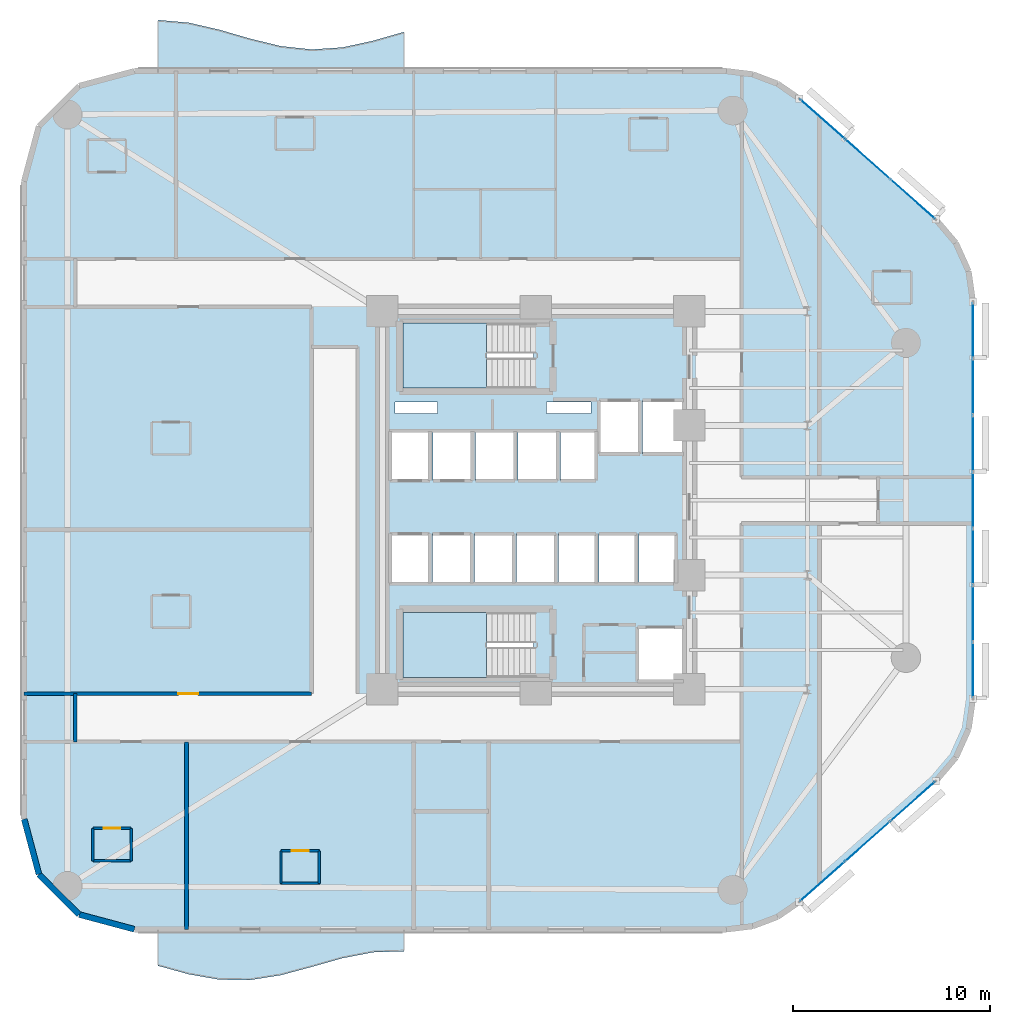
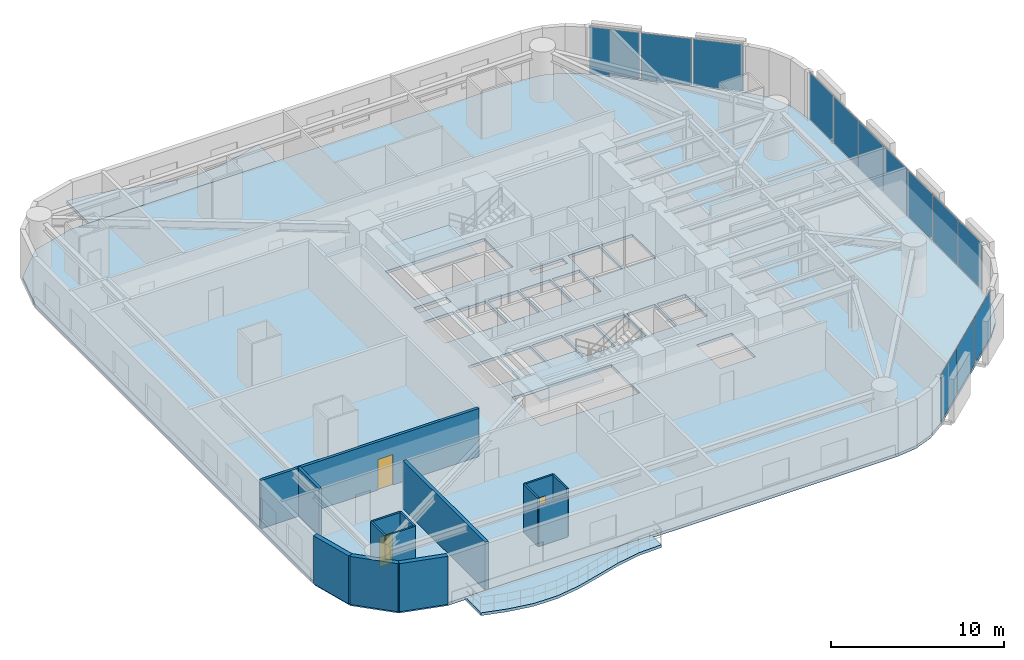
# One storey, part 9 of 17: 14 walls, 13 plates, 5 slabs, 3 doors, 3 openings, 5 elements without a shape of their own.
"""IFC4 building model written with IfcOpenShell, lengths in metres."""

from ifc_helpers import new_model, si_unit, direction, frame, frame_2d, origin, origin_2d, place, context, subcontext, project, spatial, polyline, rectangle, outline, extrude, material, layer, layer_set, type_object, element, fill, aggregate, save


model = new_model("IFC4")

# Units and contexts
model_context = context("Model", 3, precision=1e-05, world=origin(), true_north=direction((0.0, 1.0)))
body_context = subcontext(model_context, "Body", "Model", "MODEL_VIEW")
ifc_project = project(units=[si_unit("LENGTHUNIT", "METRE"), si_unit("AREAUNIT", "SQUARE_METRE"), si_unit("VOLUMEUNIT", "CUBIC_METRE"), si_unit("PLANEANGLEUNIT", "RADIAN"), si_unit("MASSUNIT", "GRAM", prefix="KILO")], contexts=[model_context])

# Site, building, storey
site_placement = place(None, origin())
site = spatial("IfcSite", under=ifc_project, at=site_placement, CompositionType="ELEMENT")
building_placement = place(site_placement, origin())
building = spatial("IfcBuilding", under=site, at=building_placement, Name="An Khanh Terracotta Commons", CompositionType="ELEMENT")
storey_placement = place(building_placement, frame((0.0, 0.0, 32.39990234375)))
storey = spatial("IfcBuildingStorey", under=building, at=storey_placement, Name="L08", CompositionType="ELEMENT", Elevation=32.39990234375)

# Curtain wall, plates
ifc_material_1 = material(Name="Anodised Aluminium 6063-T6", Category="aluminium")
ifc_layer_1 = layer(ifc_material_1, 0.199951171875, Name="Anodised Aluminium 6063-T6")
ifc_layer_set_1 = layer_set([ifc_layer_1], Name="Anodised Aluminium 6063-T6")
curtain_wall_type = type_object("IfcCurtainWallType", Name="CW-SYS-02", PredefinedType="USERDEFINED", material=ifc_layer_set_1)
curtain_wall_1_placement = place(storey_placement, origin())
curtain_wall_1 = element("IfcCurtainWall", 1, at=curtain_wall_1_placement, inside=storey, type_object=curtain_wall_type, Name="L08 CW-02 Unitised Curtain Wall CW-L08-08", ObjectType="UNITISED CURTAIN WALL", PredefinedType="USERDEFINED")
ifc_material_2 = material(Name="Double Low-E Solar Control Glazing", Category="glass")
ifc_layer_2 = layer(ifc_material_2, 0.028076171875, Name="Double Low-E Solar Control Glazing")
ifc_layer_set_2 = layer_set([ifc_layer_2], Name="Double Low-E Solar Control Glazing")
plate_type = type_object("IfcPlateType", Name="CWP-IGU-28", PredefinedType="CURTAIN_PANEL", material=ifc_layer_set_2)
plate_1_placement = place(storey_placement, frame((43.95556640625, 4.637939453125, 0.06005859375), z_axis=(0.0, 0.0, 1.0), x_axis=(0.749019284633, 0.662548195415, 0.0)))
plate_1 = element("IfcPlate", 2, at=plate_1_placement, type_object=plate_type, Name="CW-02 panel 1.1", PredefinedType="CURTAIN_PANEL", context=body_context, shape_type="SweptSolid", body=[
    extrude(rectangle(XDim=2.97509765625, YDim=0.028076171875, at=origin_2d()), origin(), (0.0, 0.0, 1.0), 3.280029296875),
])
plate_2_placement = place(storey_placement, frame((46.24951171875, 6.6669921875, 0.06005859375), z_axis=(0.0, 0.0, 1.0), x_axis=(0.749019284633, 0.662548195415, 0.0)))
plate_2 = element("IfcPlate", 3, at=plate_2_placement, type_object=plate_type, Name="CW-02 panel 2.1", PredefinedType="CURTAIN_PANEL", context=body_context, shape_type="SweptSolid", body=[
    extrude(rectangle(XDim=3.010009765625, YDim=0.028076171875, at=origin_2d()), origin(), (0.0, 0.0, 1.0), 3.280029296875),
])
plate_3_placement = place(storey_placement, frame((48.54345703125, 8.696044921875, 0.06005859375), z_axis=(0.0, 0.0, 1.0), x_axis=(0.749019284633, 0.662548195415, 0.0)))
plate_3 = element("IfcPlate", 4, at=plate_3_placement, type_object=plate_type, Name="CW-02 panel 3.1", PredefinedType="CURTAIN_PANEL", context=body_context, shape_type="SweptSolid", body=[
    extrude(rectangle(XDim=2.97509765625, YDim=0.028076171875, at=origin_2d()), origin(), (0.0, 0.0, 1.0), 3.280029296875),
])
aggregate(curtain_wall_1, [plate_1, plate_2, plate_3])

curtain_wall_2_placement = place(storey_placement, origin())
curtain_wall_2 = element("IfcCurtainWall", 5, at=curtain_wall_2_placement, inside=storey, type_object=curtain_wall_type, Name="L08 CW-02 Unitised Curtain Wall CW-L08-12", ObjectType="UNITISED CURTAIN WALL", PredefinedType="USERDEFINED")
plate_4_placement = place(storey_placement, frame((51.60009765625, 15.380126953125, 0.06005859375), z_axis=(0.0, 0.0, 1.0), x_axis=(0.0, 1.0, 0.0)))
plate_4 = element("IfcPlate", 6, at=plate_4_placement, type_object=plate_type, Name="CW-02 panel 1.1", PredefinedType="CURTAIN_PANEL", context=body_context, shape_type="SweptSolid", body=[
    extrude(rectangle(XDim=2.774169921875, YDim=0.028076171875, at=origin_2d()), origin(), (0.0, 0.0, 1.0), 3.280029296875),
])
plate_5_placement = place(storey_placement, frame((51.60009765625, 18.24169921875, 0.06005859375), z_axis=(0.0, 0.0, 1.0), x_axis=(0.0, 1.0, 0.0)))
plate_5 = element("IfcPlate", 7, at=plate_5_placement, type_object=plate_type, Name="CW-02 panel 2.1", PredefinedType="CURTAIN_PANEL", context=body_context, shape_type="SweptSolid", body=[
    extrude(rectangle(XDim=2.80908203125, YDim=0.028076171875, at=origin_2d()), origin(), (0.0, 0.0, 1.0), 3.280029296875),
])
plate_6_placement = place(storey_placement, frame((51.60009765625, 21.120849609375, 0.06005859375), z_axis=(0.0, 0.0, 1.0), x_axis=(0.0, 1.0, 0.0)))
plate_6 = element("IfcPlate", 8, at=plate_6_placement, type_object=plate_type, Name="CW-02 panel 3.1", PredefinedType="CURTAIN_PANEL", context=body_context, shape_type="SweptSolid", body=[
    extrude(rectangle(XDim=2.80908203125, YDim=0.028076171875, at=origin_2d()), origin(), (0.0, 0.0, 1.0), 3.280029296875),
])
plate_7_placement = place(storey_placement, frame((51.60009765625, 24.0, 0.06005859375), z_axis=(0.0, 0.0, 1.0), x_axis=(0.0, 1.0, 0.0)))
plate_7 = element("IfcPlate", 9, at=plate_7_placement, type_object=plate_type, Name="CW-02 panel 4.1", PredefinedType="CURTAIN_PANEL", context=body_context, shape_type="SweptSolid", body=[
    extrude(rectangle(XDim=2.80908203125, YDim=0.028076171875, at=origin_2d()), origin(), (0.0, 0.0, 1.0), 3.280029296875),
])
plate_8_placement = place(storey_placement, frame((51.60009765625, 26.879150390625, 0.06005859375), z_axis=(0.0, 0.0, 1.0), x_axis=(0.0, 1.0, 0.0)))
plate_8 = element("IfcPlate", 10, at=plate_8_placement, type_object=plate_type, Name="CW-02 panel 5.1", PredefinedType="CURTAIN_PANEL", context=body_context, shape_type="SweptSolid", body=[
    extrude(rectangle(XDim=2.80908203125, YDim=0.028076171875, at=origin_2d()), origin(), (0.0, 0.0, 1.0), 3.280029296875),
])
plate_9_placement = place(storey_placement, frame((51.60009765625, 29.75830078125, 0.06005859375), z_axis=(0.0, 0.0, 1.0), x_axis=(0.0, 1.0, 0.0)))
plate_9 = element("IfcPlate", 11, at=plate_9_placement, type_object=plate_type, Name="CW-02 panel 6.1", PredefinedType="CURTAIN_PANEL", context=body_context, shape_type="SweptSolid", body=[
    extrude(rectangle(XDim=2.80908203125, YDim=0.028076171875, at=origin_2d()), origin(), (0.0, 0.0, 1.0), 3.280029296875),
])
plate_10_placement = place(storey_placement, frame((51.60009765625, 32.619873046875, 0.06005859375), z_axis=(0.0, 0.0, 1.0), x_axis=(0.0, 1.0, 0.0)))
plate_10 = element("IfcPlate", 12, at=plate_10_placement, type_object=plate_type, Name="CW-02 panel 7.1", PredefinedType="CURTAIN_PANEL", context=body_context, shape_type="SweptSolid", body=[
    extrude(rectangle(XDim=2.774169921875, YDim=0.028076171875, at=origin_2d()), origin(), (0.0, 0.0, 1.0), 3.280029296875),
])
aggregate(curtain_wall_2, [plate_4, plate_5, plate_6, plate_7, plate_8, plate_9, plate_10])

curtain_wall_3_placement = place(storey_placement, origin())
curtain_wall_3 = element("IfcCurtainWall", 13, at=curtain_wall_3_placement, inside=storey, type_object=curtain_wall_type, Name="L08 CW-02 Unitised Curtain Wall CW-L08-16", ObjectType="UNITISED CURTAIN WALL", PredefinedType="USERDEFINED")
plate_11_placement = place(storey_placement, frame((48.54345703125, 39.303955078125, 0.06005859375), z_axis=(0.0, 0.0, 1.0), x_axis=(-0.749019284633, 0.662548195415, 0.0)))
plate_11 = element("IfcPlate", 14, at=plate_11_placement, type_object=plate_type, Name="CW-02 panel 1.1", PredefinedType="CURTAIN_PANEL", context=body_context, shape_type="SweptSolid", body=[
    extrude(rectangle(XDim=2.97509765625, YDim=0.028076171875, at=origin_2d()), origin(), (0.0, 0.0, 1.0), 3.280029296875),
])
plate_12_placement = place(storey_placement, frame((46.24951171875, 41.3330078125, 0.06005859375), z_axis=(0.0, 0.0, 1.0), x_axis=(-0.749019284633, 0.662548195415, 0.0)))
plate_12 = element("IfcPlate", 15, at=plate_12_placement, type_object=plate_type, Name="CW-02 panel 2.1", PredefinedType="CURTAIN_PANEL", context=body_context, shape_type="SweptSolid", body=[
    extrude(rectangle(XDim=3.010009765625, YDim=0.028076171875, at=origin_2d()), origin(), (0.0, 0.0, 1.0), 3.280029296875),
])
plate_13_placement = place(storey_placement, frame((43.95556640625, 43.362060546875, 0.06005859375), z_axis=(0.0, 0.0, 1.0), x_axis=(-0.749019284633, 0.662548195415, 0.0)))
plate_13 = element("IfcPlate", 16, at=plate_13_placement, type_object=plate_type, Name="CW-02 panel 3.1", PredefinedType="CURTAIN_PANEL", context=body_context, shape_type="SweptSolid", body=[
    extrude(rectangle(XDim=2.97509765625, YDim=0.028076171875, at=origin_2d()), origin(), (0.0, 0.0, 1.0), 3.280029296875),
])
aggregate(curtain_wall_3, [plate_11, plate_12, plate_13])

# Slabs
ifc_material_3 = material(Name="Concrete C40/50", Category="concrete")
ifc_layer_3 = layer(ifc_material_3, 0.199951171875, Name="Concrete C40/50")
ifc_layer_set_3 = layer_set([ifc_layer_3], Name="Concrete C40/50")
slab_type_1 = type_object("IfcSlabType", Name="SLAB-BALC-200", PredefinedType="FLOOR", material=ifc_layer_set_3)
slab_1_placement = place(storey_placement, frame((0.0, 0.0, -0.199951171875)))
element("IfcSlab", 17, at=slab_1_placement, inside=storey, type_object=slab_type_1, Name="L08 S Sinusoidal Wave Balcony Slab", PredefinedType="FLOOR", context=body_context, shape_type="SweptSolid", body=[
    extrude(outline(polyline([(10.199951171875, 2.199951171875), (10.199951171875, 0.35009765625), (11.761962890625, -0.08203125), (13.324951171875, -0.35595703125), (14.886962890625, -0.373046875), (16.449951171875, -0.1259765625), (18.011962890625, 0.294921875), (19.574951171875, 0.736083984375), (21.136962890625, 1.035888671875), (22.699951171875, 1.0859375), (22.699951171875, 2.199951171875), (10.199951171875, 2.199951171875)])), origin(), (0.0, 0.0, 1.0), 0.199951171875),
])
slab_2_placement = place(storey_placement, frame((0.0, 0.0, -0.199951171875)))
element("IfcSlab", 18, at=slab_2_placement, inside=storey, type_object=slab_type_1, Name="L08 N Sinusoidal Wave Balcony Slab", PredefinedType="FLOOR", context=body_context, shape_type="SweptSolid", body=[
    extrude(outline(polyline([(22.699951171875, 45.800048828125), (22.699951171875, 47.7958984375), (21.136962890625, 47.345947265625), (19.574951171875, 47.007080078125), (18.011962890625, 46.902099609375), (16.449951171875, 47.070068359375), (14.886962890625, 47.449951171875), (13.324951171875, 47.903076171875), (11.761962890625, 48.262939453125), (10.199951171875, 48.39990234375), (10.199951171875, 45.800048828125), (22.699951171875, 45.800048828125)])), origin(), (0.0, 0.0, 1.0), 0.199951171875),
])

# Stair, slab
ifc_material_4 = material(Name="Precast concrete C40/50", Category="concrete")
stair_type = type_object("IfcStairType", Name="STAIR-CORE-1550", PredefinedType="HALF_TURN_STAIR", material=ifc_material_4)
stair_1_placement = place(storey_placement, origin())
stair_1 = element("IfcStair", 19, at=stair_1_placement, inside=storey, type_object=stair_type, Name="L08 Core Smokeproof Exit Stair ST-01", PredefinedType="HALF_TURN_STAIR")
ifc_layer_4 = layer(ifc_material_3, 0.18994140625, Name="Concrete C40/50")
ifc_layer_set_4 = layer_set([ifc_layer_4], Name="Concrete C40/50")
slab_type_2 = type_object("IfcSlabType", Name="SLAB-LANDING-190", PredefinedType="LANDING", material=ifc_layer_set_4)
slab_3_placement = place(storey_placement, frame((0.0, 0.0, 1.60009765625)))
slab_3 = element("IfcSlab", 20, at=slab_3_placement, type_object=slab_type_2, Name="ST-01 landing 1", PredefinedType="LANDING", context=body_context, shape_type="SweptSolid", body=[
    extrude(outline(polyline([(26.889892578125, 33.0), (22.64990234375, 33.0), (22.64990234375, 29.699951171875), (26.889892578125, 29.699951171875), (26.889892578125, 33.0)])), origin(), (0.0, 0.0, 1.0), 0.199951171875),
])
aggregate(stair_1, [slab_3])

stair_2_placement = place(storey_placement, origin())
stair_2 = element("IfcStair", 21, at=stair_2_placement, inside=storey, type_object=stair_type, Name="L08 Core Smokeproof Exit Stair ST-02", PredefinedType="HALF_TURN_STAIR")
slab_4_placement = place(storey_placement, frame((0.0, 0.0, 1.60009765625)))
slab_4 = element("IfcSlab", 22, at=slab_4_placement, type_object=slab_type_2, Name="ST-02 landing 1", PredefinedType="LANDING", context=body_context, shape_type="SweptSolid", body=[
    extrude(outline(polyline([(26.889892578125, 18.300048828125), (22.64990234375, 18.300048828125), (22.64990234375, 15.0), (26.889892578125, 15.0), (26.889892578125, 18.300048828125)])), origin(), (0.0, 0.0, 1.0), 0.199951171875),
])
aggregate(stair_2, [slab_4])

# Slab
ifc_layer_5 = layer(ifc_material_3, 0.199951171875, Name="Concrete C40/50")
ifc_layer_set_5 = layer_set([ifc_layer_5], Name="Concrete C40/50")
slab_type_3 = type_object("IfcSlabType", Name="SLAB-TYP-200", PredefinedType="FLOOR", material=ifc_layer_set_5)
slab_5_placement = place(storey_placement, frame((0.0, 0.0, -0.199951171875)))
element("IfcSlab", 23, at=slab_5_placement, inside=storey, type_object=slab_type_3, Name="L08 Structural Floor Slab", PredefinedType="FLOOR", context=body_context, shape_type="SweptSolid", body=[
    extrude(outline(polyline([(3.39990234375, 7.800048828125), (4.14990234375, 5.0), (6.199951171875, 2.949951171875), (9.0, 2.199951171875), (39.0791015625, 2.199951171875), (40.4169921875, 2.362060546875), (41.678955078125, 2.840087890625), (42.7890625, 3.60595703125), (49.7099609375, 9.72802734375), (50.73193359375, 10.927978515625), (51.37890625, 12.363037109375), (51.60009765625, 13.923095703125), (51.60009765625, 34.076904296875), (51.37890625, 35.636962890625), (50.73193359375, 37.072021484375), (49.7099609375, 38.27197265625), (42.7890625, 44.39404296875), (41.678955078125, 45.159912109375), (40.4169921875, 45.637939453125), (39.0791015625, 45.800048828125), (9.0, 45.800048828125), (6.199951171875, 45.050048828125), (4.14990234375, 43.0), (3.39990234375, 40.199951171875), (3.39990234375, 7.800048828125)]), holes=[polyline([(22.64990234375, 29.699951171875), (29.27001953125, 29.699951171875), (29.27001953125, 33.0), (22.64990234375, 33.0), (22.64990234375, 29.699951171875)]), polyline([(22.64990234375, 15.0), (29.27001953125, 15.0), (29.27001953125, 18.300048828125), (22.64990234375, 18.300048828125), (22.64990234375, 15.0)]), polyline([(32.60009765625, 26.35009765625), (34.679931640625, 26.35009765625), (34.679931640625, 29.080078125), (32.60009765625, 29.080078125), (32.60009765625, 26.35009765625)]), polyline([(34.820068359375, 26.35009765625), (36.89990234375, 26.35009765625), (36.89990234375, 29.080078125), (34.820068359375, 29.080078125), (34.820068359375, 26.35009765625)]), polyline([(34.550048828125, 14.800048828125), (36.89990234375, 14.800048828125), (36.89990234375, 17.550048828125), (34.550048828125, 17.550048828125), (34.550048828125, 14.800048828125)]), polyline([(22.0, 25.0), (24.02001953125, 25.0), (24.02001953125, 27.5), (22.0, 27.5), (22.0, 25.0)]), polyline([(24.159912109375, 25.0), (26.179931640625, 25.0), (26.179931640625, 27.5), (24.159912109375, 27.5), (24.159912109375, 25.0)]), polyline([(22.0, 19.800048828125), (24.0, 19.800048828125), (24.0, 22.300048828125), (22.0, 22.300048828125), (22.0, 19.800048828125)]), polyline([(24.139892578125, 19.800048828125), (26.139892578125, 19.800048828125), (26.139892578125, 22.300048828125), (24.139892578125, 22.300048828125), (24.139892578125, 19.800048828125)]), polyline([(26.320068359375, 25.0), (28.340087890625, 25.0), (28.340087890625, 27.5), (26.320068359375, 27.5), (26.320068359375, 25.0)]), polyline([(28.47998046875, 25.0), (30.5, 25.0), (30.5, 27.5), (28.47998046875, 27.5), (28.47998046875, 25.0)]), polyline([(26.280029296875, 19.800048828125), (28.280029296875, 19.800048828125), (28.280029296875, 22.300048828125), (26.280029296875, 22.300048828125), (26.280029296875, 19.800048828125)]), polyline([(28.419921875, 19.800048828125), (30.419921875, 19.800048828125), (30.419921875, 22.300048828125), (28.419921875, 22.300048828125), (28.419921875, 19.800048828125)]), polyline([(30.639892578125, 25.0), (32.4599609375, 25.0), (32.4599609375, 27.5), (30.639892578125, 27.5), (30.639892578125, 25.0)]), polyline([(30.56005859375, 19.800048828125), (32.4599609375, 19.800048828125), (32.4599609375, 22.300048828125), (30.56005859375, 22.300048828125), (30.56005859375, 19.800048828125)]), polyline([(32.60009765625, 19.800048828125), (34.5, 19.800048828125), (34.5, 22.300048828125), (32.60009765625, 22.300048828125), (32.60009765625, 19.800048828125)]), polyline([(34.639892578125, 19.800048828125), (36.5400390625, 19.800048828125), (36.5400390625, 22.300048828125), (34.639892578125, 22.300048828125), (34.639892578125, 19.800048828125)]), polyline([(22.25, 28.419921875), (24.39990234375, 28.419921875), (24.39990234375, 28.97998046875), (22.25, 28.97998046875), (22.25, 28.419921875)]), polyline([(29.949951171875, 28.419921875), (32.199951171875, 28.419921875), (32.199951171875, 28.97998046875), (29.949951171875, 28.97998046875), (29.949951171875, 28.419921875)])]), origin(), (0.0, 0.0, 1.0), 0.199951171875),
])

# Wall, opening, door
ifc_material_5 = material(Name="Fire-Rated Gypsum Board on Steel Stud", Category="steel")
ifc_layer_6 = layer(ifc_material_5, 0.179931640625, Name="Fire-Rated Gypsum Board on Steel Stud")
ifc_layer_set_6 = layer_set([ifc_layer_6], Name="Fire-Rated Gypsum Board on Steel Stud")
wall_type_1 = type_object("IfcWallType", Name="WALL-CORR-180", PredefinedType="PARTITIONING", material=ifc_layer_set_6)
wall_1_placement = place(storey_placement, frame((3.39990234375, 14.179931640625, 0.0), z_axis=(0.0, 0.0, 1.0), x_axis=(1.0, 0.0, 0.0)))
wall_1 = element("IfcWall", 24, at=wall_1_placement, inside=storey, type_object=wall_type_1, Name="L08 Interior Partition IW-L08-E003", PredefinedType="PARTITIONING", context=body_context, shape_type="SweptSolid", body=[
    extrude(rectangle(XDim=14.60009765625, YDim=0.179931640625, at=frame_2d((7.300048828125, 0.0))), origin(), (0.0, 0.0, 1.0), 3.400146484375),
])
opening_1_placement = place(wall_1_placement, frame((7.840087890625, 0.0, 0.0)))
opening_1 = element("IfcOpeningElement", 25, at=opening_1_placement, cuts=wall_1, Name="Opening D-UN", PredefinedType="OPENING", context=body_context, shape_type="SweptSolid", body=[
    extrude(rectangle(XDim=1.0, YDim=2.14990234375, at=frame_2d((0.5, 1.074951171875))), frame((0.0, 0.099853515625, 0.0), z_axis=(0.0, -1.0, 0.0), x_axis=(1.0, 0.0, 0.0)), (0.0, 0.0, 1.0), 0.199951171875),
])
ifc_material_6 = material(Name="Solid-Core Hardwood Acoustic Fire Door", Category="wood")
door_type_1 = type_object("IfcDoorType", Name="DOOR-UNIT-1000", OperationType="NOTDEFINED", PredefinedType="DOOR", material=ifc_material_6)
door_1_placement = place(opening_1_placement, origin())
door_1 = element("IfcDoor", 26, at=door_1_placement, inside=storey, type_object=door_type_1, Name="L08 WW1 Kitchenette and Studio Apartment Door", OperationType="SINGLE_SWING_LEFT", OverallHeight=2.14990234375, OverallWidth=1.0, PredefinedType="DOOR", context=body_context, shape_type="SweptSolid", body=[
    extrude(rectangle(XDim=1.0, YDim=2.14990234375, at=frame_2d((0.5, 1.074951171875))), frame((0.0, 0.02490234375, 0.0), z_axis=(0.0, -1.0, 0.0), x_axis=(1.0, 0.0, 0.0)), (0.0, 0.0, 1.0), 0.050048828125),
])
fill(opening_1, door_1)

# Walls
wall_2_placement = place(storey_placement, frame((6.0, 11.719970703125, 0.0), z_axis=(0.0, 0.0, 1.0), x_axis=(0.0, 1.0, 0.0)))
element("IfcWall", 27, at=wall_2_placement, inside=storey, type_object=wall_type_1, Name="L08 Interior Partition IW-L08-E011", PredefinedType="PARTITIONING", context=body_context, shape_type="SweptSolid", body=[
    extrude(rectangle(XDim=2.4599609375, YDim=0.179931640625, at=frame_2d((1.22998046875, 0.0))), origin(), (0.0, 0.0, 1.0), 3.400146484375),
])
ifc_layer_7 = layer(ifc_material_4, 0.300048828125, Name="Precast concrete C40/50")
ifc_layer_set_7 = layer_set([ifc_layer_7], Name="Precast concrete C40/50")
wall_type_2 = type_object("IfcWallType", Name="WALL-EXT-300", PredefinedType="SOLIDWALL", material=ifc_layer_set_7)
wall_3_placement = place(storey_placement, frame((3.39990234375, 7.800048828125, 0.0), z_axis=(0.0, 0.0, 1.0), x_axis=(0.258731875344, -0.96594917914, 0.0)))
element("IfcWall", 28, at=wall_3_placement, inside=storey, type_object=wall_type_2, Name="L08 Insulated Terracotta Exterior Wall 1", PredefinedType="SOLIDWALL", context=body_context, shape_type="SweptSolid", body=[
    extrude(rectangle(XDim=2.898681640625, YDim=0.300048828125, at=frame_2d((1.44921875, 0.0))), origin(), (0.0, 0.0, 1.0), 3.400146484375),
])
wall_4_placement = place(storey_placement, frame((4.14990234375, 5.0, 0.0), z_axis=(0.0, 0.0, 1.0), x_axis=(0.707106781187, -0.707106781187, 0.0)))
element("IfcWall", 29, at=wall_4_placement, inside=storey, type_object=wall_type_2, Name="L08 Insulated Terracotta Exterior Wall 2", PredefinedType="SOLIDWALL", context=body_context, shape_type="SweptSolid", body=[
    extrude(rectangle(XDim=2.899169921875, YDim=0.300048828125, at=frame_2d((1.44970703125, 0.0))), origin(), (0.0, 0.0, 1.0), 3.400146484375),
])
wall_5_placement = place(storey_placement, frame((6.199951171875, 2.949951171875, 0.0), z_axis=(0.0, 0.0, 1.0), x_axis=(0.96594917914, -0.258731875344, 0.0)))
element("IfcWall", 30, at=wall_5_placement, inside=storey, type_object=wall_type_2, Name="L08 Insulated Terracotta Exterior Wall 3", PredefinedType="SOLIDWALL", context=body_context, shape_type="SweptSolid", body=[
    extrude(rectangle(XDim=2.898681640625, YDim=0.300048828125, at=frame_2d((1.44921875, 0.0))), origin(), (0.0, 0.0, 1.0), 3.400146484375),
])
ifc_material_7 = material(Name="Acoustic Double-Stud Gypsum and Mineral Wool")
ifc_layer_8 = layer(ifc_material_7, 0.219970703125, Name="Acoustic Double-Stud Gypsum and Mineral Wool")
ifc_layer_set_8 = layer_set([ifc_layer_8], Name="Acoustic Double-Stud Gypsum and Mineral Wool")
wall_type_3 = type_object("IfcWallType", Name="WALL-PARTY-220", PredefinedType="PARTITIONING", material=ifc_layer_set_8)
wall_6_placement = place(storey_placement, frame((11.64990234375, 2.199951171875, 0.0), z_axis=(0.0, 0.0, 1.0), x_axis=(0.0, 1.0, 0.0)))
element("IfcWall", 31, at=wall_6_placement, inside=storey, type_object=wall_type_3, Name="L08 Interior Partition IW-L08-E014", PredefinedType="PARTITIONING", context=body_context, shape_type="SweptSolid", body=[
    extrude(rectangle(XDim=9.52001953125, YDim=0.219970703125, at=frame_2d((4.760009765625, 0.0))), origin(), (0.0, 0.0, 1.0), 3.400146484375),
])

# Wall, opening, door
ifc_material_8 = material(Name="Moisture-Resistant Cement Board Partition")
ifc_layer_9 = layer(ifc_material_8, 0.1201171875, Name="Moisture-Resistant Cement Board Partition")
ifc_layer_set_9 = layer_set([ifc_layer_9], Name="Moisture-Resistant Cement Board Partition")
wall_type_4 = type_object("IfcWallType", Name="WALL-WET-120", PredefinedType="PARTITIONING", material=ifc_layer_set_9)
wall_7_placement = place(storey_placement, frame((6.888916015625, 7.3291015625, 0.0), z_axis=(0.0, 0.0, 1.0), x_axis=(1.0, 0.0, 0.0)))
wall_7 = element("IfcWall", 32, at=wall_7_placement, inside=storey, type_object=wall_type_4, Name="L08 Interior Partition IW-L08-SW1-BN", PredefinedType="PARTITIONING", context=body_context, shape_type="SweptSolid", body=[
    extrude(rectangle(XDim=1.9501953125, YDim=0.1201171875, at=frame_2d((0.97509765625, 0.0))), origin(), (0.0, 0.0, 1.0), 3.400146484375),
])
opening_2_placement = place(wall_7_placement, frame((0.544921875, 0.0, 0.0)))
opening_2 = element("IfcOpeningElement", 33, at=opening_2_placement, cuts=wall_7, Name="Opening D-ENS", PredefinedType="OPENING", context=body_context, shape_type="SweptSolid", body=[
    extrude(rectangle(XDim=0.860107421875, YDim=2.10009765625, at=frame_2d((0.43017578125, 1.050048828125))), frame((0.0, 0.070068359375, 0.0), z_axis=(0.0, -1.0, 0.0), x_axis=(1.0, 0.0, 0.0)), (0.0, 0.0, 1.0), 0.14013671875),
])
ifc_material_9 = material(Name="Moisture-Resistant Hardwood Timber Leaf", Category="wood")
door_type_2 = type_object("IfcDoorType", Name="DOOR-BATH-860", OperationType="NOTDEFINED", PredefinedType="DOOR", material=ifc_material_9)
door_2_placement = place(opening_2_placement, origin())
door_2 = element("IfcDoor", 34, at=door_2_placement, inside=storey, type_object=door_type_2, Name="L08 Studio SW1 En-suite Door", OperationType="SINGLE_SWING_LEFT", OverallHeight=2.10009765625, OverallWidth=0.860107421875, PredefinedType="DOOR", context=body_context, shape_type="SweptSolid", body=[
    extrude(rectangle(XDim=0.860107421875, YDim=2.10009765625, at=frame_2d((0.43017578125, 1.050048828125))), frame((0.0, 0.02490234375, 0.0), z_axis=(0.0, -1.0, 0.0), x_axis=(1.0, 0.0, 0.0)), (0.0, 0.0, 1.0), 0.050048828125),
])
fill(opening_2, door_2)

# Walls
wall_8_placement = place(storey_placement, frame((8.839111328125, 5.678955078125, 0.0), z_axis=(0.0, 0.0, 1.0), x_axis=(-1.0, 0.0, 0.0)))
element("IfcWall", 35, at=wall_8_placement, inside=storey, type_object=wall_type_4, Name="L08 Interior Partition IW-L08-SW1-BS", PredefinedType="PARTITIONING", context=body_context, shape_type="SweptSolid", body=[
    extrude(rectangle(XDim=1.9501953125, YDim=0.1201171875, at=frame_2d((0.97509765625, 0.0))), origin(), (0.0, 0.0, 1.0), 3.400146484375),
])
for number, where, z_axis, x_axis, name in (
    (36, (6.888916015625, 7.3291015625, 0.0), (0.0, 0.0, 1.0), (0.0, -1.0, 0.0), "L08 Interior Partition IW-L08-SW1-BW"),
    (37, (8.839111328125, 5.678955078125, 0.0), (0.0, 0.0, 1.0), (0.0, 1.0, 0.0), "L08 Interior Partition IW-L08-SW1-BE"),
):
    element("IfcWall", number, at=place(storey_placement, frame(where, z_axis=z_axis, x_axis=x_axis)), inside=storey, type_object=wall_type_4, Name=name, PredefinedType="PARTITIONING", context=body_context, shape_type="SweptSolid", body=[
        extrude(rectangle(XDim=1.650146484375, YDim=0.1201171875, at=frame_2d((0.8251953125, 0.0))), origin(), (0.0, 0.0, 1.0), 3.400146484375),
    ])

# Wall, opening, door
wall_9_placement = place(storey_placement, frame((16.449951171875, 6.18505859375, 0.0), z_axis=(0.0, 0.0, 1.0), x_axis=(1.0, 0.0, 0.0)))
wall_9 = element("IfcWall", 38, at=wall_9_placement, inside=storey, type_object=wall_type_4, Name="L08 Interior Partition IW-L08-SW2-BN", PredefinedType="PARTITIONING", context=body_context, shape_type="SweptSolid", body=[
    extrude(rectangle(XDim=1.949951171875, YDim=0.1201171875, at=frame_2d((0.97509765625, 0.0))), origin(), (0.0, 0.0, 1.0), 3.400146484375),
])
opening_3_placement = place(wall_9_placement, frame((0.544921875, 0.0, 0.0)))
opening_3 = element("IfcOpeningElement", 39, at=opening_3_placement, cuts=wall_9, Name="Opening D-ENS", PredefinedType="OPENING", context=body_context, shape_type="SweptSolid", body=[
    extrude(rectangle(XDim=0.860107421875, YDim=2.10009765625, at=frame_2d((0.43017578125, 1.050048828125))), frame((0.0, 0.070068359375, 0.0), z_axis=(0.0, -1.0, 0.0), x_axis=(1.0, 0.0, 0.0)), (0.0, 0.0, 1.0), 0.14013671875),
])
door_3_placement = place(opening_3_placement, origin())
door_3 = element("IfcDoor", 40, at=door_3_placement, inside=storey, type_object=door_type_2, Name="L08 Studio SW2 En-suite Door", OperationType="SINGLE_SWING_RIGHT", OverallHeight=2.10009765625, OverallWidth=0.860107421875, PredefinedType="DOOR", context=body_context, shape_type="SweptSolid", body=[
    extrude(rectangle(XDim=0.860107421875, YDim=2.10009765625, at=frame_2d((0.43017578125, 1.050048828125))), frame((0.0, 0.02490234375, 0.0), z_axis=(0.0, -1.0, 0.0), x_axis=(1.0, 0.0, 0.0)), (0.0, 0.0, 1.0), 0.050048828125),
])
fill(opening_3, door_3)

# Walls
wall_10_placement = place(storey_placement, frame((18.39990234375, 4.534912109375, 0.0), z_axis=(0.0, 0.0, 1.0), x_axis=(-1.0, 0.0, 0.0)))
element("IfcWall", 41, at=wall_10_placement, inside=storey, type_object=wall_type_4, Name="L08 Interior Partition IW-L08-SW2-BS", PredefinedType="PARTITIONING", context=body_context, shape_type="SweptSolid", body=[
    extrude(rectangle(XDim=1.949951171875, YDim=0.1201171875, at=frame_2d((0.97509765625, 0.0))), origin(), (0.0, 0.0, 1.0), 2.882080078125),
])
for number, where, z_axis, x_axis, name in (
    (42, (16.449951171875, 6.18505859375, 0.0), (0.0, 0.0, 1.0), (0.0, -1.0, 0.0), "L08 Interior Partition IW-L08-SW2-BW"),
    (43, (18.39990234375, 4.534912109375, 0.0), (0.0, 0.0, 1.0), (0.0, 1.0, 0.0), "L08 Interior Partition IW-L08-SW2-BE"),
):
    element("IfcWall", number, at=place(storey_placement, frame(where, z_axis=z_axis, x_axis=x_axis)), inside=storey, type_object=wall_type_4, Name=name, PredefinedType="PARTITIONING", context=body_context, shape_type="SweptSolid", body=[
        extrude(rectangle(XDim=1.650146484375, YDim=0.1201171875, at=frame_2d((0.8251953125, 0.0))), origin(), (0.0, 0.0, 1.0), 3.400146484375),
    ])

save(model, "model.ifc")
